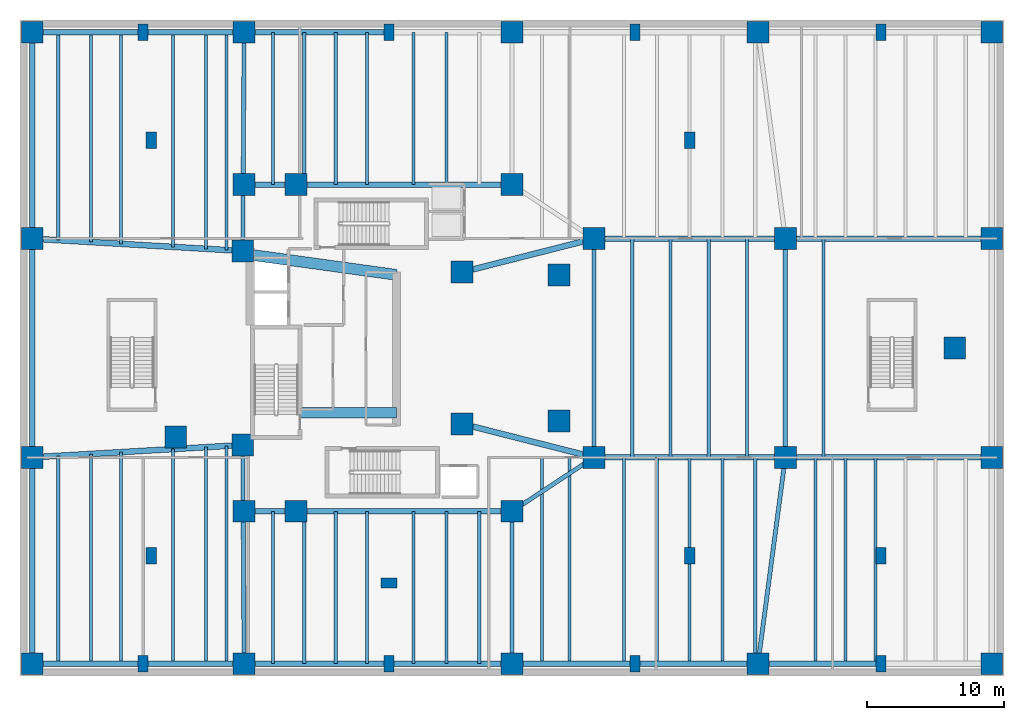
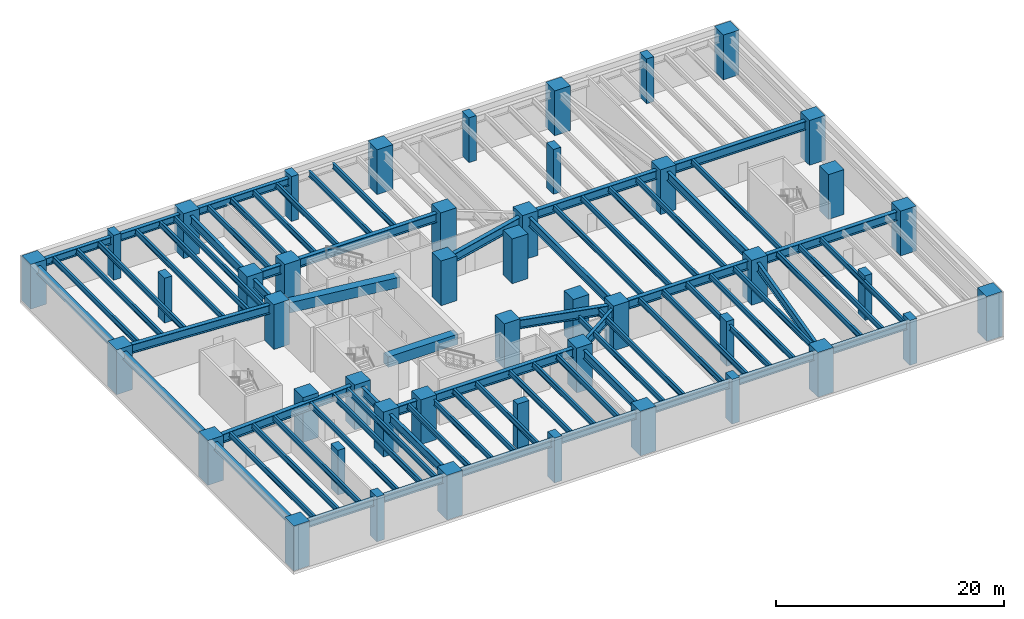
# One storey, part 1 of 9: 72 beams, 46 columns.
"""IFC4 building model written with IfcOpenShell, lengths in metres."""

from ifc_helpers import new_model, si_unit, direction, frame, origin, origin_2d, place, context, subcontext, project, spatial, rectangle, i_section, extrude, material, material_profile, profile_set, type_object, element, save


model = new_model("IFC4")

# Units and contexts
model_context = context("Model", 3, precision=1e-05, world=origin(), true_north=direction((0.0, 1.0)))
body_context = subcontext(model_context, "Body", "Model", "MODEL_VIEW")
ifc_project = project(units=[si_unit("LENGTHUNIT", "METRE"), si_unit("AREAUNIT", "SQUARE_METRE"), si_unit("VOLUMEUNIT", "CUBIC_METRE"), si_unit("PLANEANGLEUNIT", "RADIAN"), si_unit("MASSUNIT", "GRAM", prefix="KILO"), si_unit("THERMODYNAMICTEMPERATUREUNIT", "KELVIN"), si_unit("POWERUNIT", "WATT")], contexts=[model_context])

# Site, building, storey
site_placement = place(None, origin())
site = spatial("IfcSite", under=ifc_project, at=site_placement, CompositionType="ELEMENT")
building_placement = place(site_placement, origin())
building = spatial("IfcBuilding", under=site, at=building_placement, Name="Skarre Station Tower", CompositionType="ELEMENT")
storey_placement = place(building_placement, frame((0.0, 0.0, -4.800048828125)))
storey = spatial("IfcBuildingStorey", under=building, at=storey_placement, Name="B01", CompositionType="ELEMENT", Elevation=-4.800048828125)

# Columns
ifc_material_1 = material(Name="Concrete C60/75", Category="concrete")
ifc_material_profile_1 = material_profile(ifc_material_1, rectangle(XDim=0.75, YDim=1.199951171875, at=origin_2d()), Name="Concrete C60/75")
ifc_profile_set_1 = profile_set([ifc_material_profile_1], Name="Concrete C60/75")
column_type_1 = type_object("IfcColumnType", Name="RC Basement Pilaster RC-PIER-1200X750", PredefinedType="PILASTER", material=ifc_profile_set_1)
for number, where, z_axis, x_axis, name in (
    (1, (9.60009765625, 8.800048828125, 0.0), (0.0, 0.0, 1.0), (1.0, 0.0, 0.0), "B01 Basement Structural Pilaster 1"),
    (2, (9.60009765625, 39.199951171875, 0.0), (0.0, 0.0, 1.0), (1.0, 0.0, 0.0), "B01 Basement Structural Pilaster 2"),
    (3, (27.0, 6.800048828125, 0.0), (0.0, 0.0, 1.0), (0.0, 1.0, 0.0), "B01 Basement Structural Pilaster 3"),
    (4, (49.0, 8.800048828125, 0.0), (0.0, 0.0, 1.0), (1.0, 0.0, 0.0), "B01 Basement Structural Pilaster 4"),
    (5, (49.0, 39.199951171875, 0.0), (0.0, 0.0, 1.0), (1.0, 0.0, 0.0), "B01 Basement Structural Pilaster 5"),
    (6, (63.0, 8.800048828125, 0.0), (0.0, 0.0, 1.0), (1.0, 0.0, 0.0), "B01 Basement Structural Pilaster 6"),
):
    element("IfcColumn", number, at=place(storey_placement, frame(where, z_axis=z_axis, x_axis=x_axis)), inside=storey, type_object=column_type_1, Name=name, PredefinedType="PILASTER", context=body_context, shape_type="SweptSolid", body=[
        extrude(rectangle(XDim=0.75, YDim=1.199951171875, at=origin_2d()), origin(), (0.0, 0.0, 1.0), 4.800048828125),
    ])
ifc_material_2 = material(Name="Concrete C70/85", Category="concrete")
ifc_material_profile_2 = material_profile(ifc_material_2, rectangle(XDim=1.60009765625, YDim=1.60009765625, at=origin_2d()), Name="Concrete C70/85")
ifc_profile_set_2 = profile_set([ifc_material_profile_2], Name="Concrete C70/85")
column_type_2 = type_object("IfcColumnType", Name="RC Structural Column RC-COL-1600X1600", PredefinedType="COLUMN", material=ifc_profile_set_2)
for number, where, z_axis, x_axis, name in (
    (7, (16.300048828125, 16.89990234375, 0.0), (0.0, 0.0, 1.0), (1.0, 0.0, 0.0), "B01 Core Column CC-SW"),
    (8, (16.300048828125, 31.10009765625, 0.0), (0.0, 0.0, 1.0), (1.0, 0.0, 0.0), "B01 Core Column CC-NW"),
    (9, (32.35009765625, 18.449951171875, 0.0), (0.0, 0.0, 1.0), (1.0, 0.0, 0.0), "B01 Core Column CC-SE"),
    (10, (32.35009765625, 29.550048828125, 0.0), (0.0, 0.0, 1.0), (1.0, 0.0, 0.0), "B01 Core Column CC-NE"),
    (11, (0.89990234375, 0.89990234375, 0.0), (0.0, 0.0, 1.0), (1.0, 0.0, 0.0), "B01 Station Concourse Mega-Column PM01"),
    (12, (71.10009765625, 0.89990234375, 0.0), (0.0, 0.0, 1.0), (1.0, 0.0, 0.0), "B01 Station Concourse Mega-Column PM02"),
    (13, (0.89990234375, 47.10009765625, 0.0), (0.0, 0.0, 1.0), (1.0, 0.0, 0.0), "B01 Station Concourse Mega-Column PM03"),
    (14, (71.10009765625, 47.10009765625, 0.0), (0.0, 0.0, 1.0), (1.0, 0.0, 0.0), "B01 Station Concourse Mega-Column PM04"),
    (15, (16.39990234375, 0.89990234375, 0.0), (0.0, 0.0, 1.0), (1.0, 0.0, 0.0), "B01 Station Concourse Mega-Column PM05"),
    (16, (36.0, 0.89990234375, 0.0), (0.0, 0.0, 1.0), (1.0, 0.0, 0.0), "B01 Station Concourse Mega-Column PM06"),
    (17, (54.0, 0.89990234375, 0.0), (0.0, 0.0, 1.0), (1.0, 0.0, 0.0), "B01 Station Concourse Mega-Column PM07"),
    (18, (16.39990234375, 47.10009765625, 0.0), (0.0, 0.0, 1.0), (1.0, 0.0, 0.0), "B01 Station Concourse Mega-Column PM08"),
    (19, (36.0, 47.10009765625, 0.0), (0.0, 0.0, 1.0), (1.0, 0.0, 0.0), "B01 Station Concourse Mega-Column PM09"),
    (20, (54.0, 47.10009765625, 0.0), (0.0, 0.0, 1.0), (1.0, 0.0, 0.0), "B01 Station Concourse Mega-Column PM10"),
    (21, (0.89990234375, 16.0, 0.0), (0.0, 0.0, 1.0), (1.0, 0.0, 0.0), "B01 Station Concourse Mega-Column PM11"),
    (22, (0.89990234375, 32.0, 0.0), (0.0, 0.0, 1.0), (1.0, 0.0, 0.0), "B01 Station Concourse Mega-Column PM12"),
    (23, (71.10009765625, 16.0, 0.0), (0.0, 0.0, 1.0), (1.0, 0.0, 0.0), "B01 Station Concourse Mega-Column PM13"),
    (24, (71.10009765625, 32.0, 0.0), (0.0, 0.0, 1.0), (1.0, 0.0, 0.0), "B01 Station Concourse Mega-Column PM14"),
    (25, (42.0, 16.0, 0.0), (0.0, 0.0, 1.0), (1.0, 0.0, 0.0), "B01 Station Concourse Mega-Column PM15"),
    (26, (42.0, 32.0, 0.0), (0.0, 0.0, 1.0), (1.0, 0.0, 0.0), "B01 Station Concourse Mega-Column PM16"),
    (27, (56.0, 16.0, 0.0), (0.0, 0.0, 1.0), (1.0, 0.0, 0.0), "B01 Station Concourse Mega-Column PM17"),
    (28, (56.0, 32.0, 0.0), (0.0, 0.0, 1.0), (1.0, 0.0, 0.0), "B01 Station Concourse Mega-Column PM18"),
    (29, (11.39990234375, 17.5, 0.0), (0.0, 0.0, 1.0), (1.0, 0.0, 0.0), "B01 Station Concourse Mega-Column PM19"),
    (30, (68.39990234375, 24.0, 0.0), (0.0, 0.0, 1.0), (1.0, 0.0, 0.0), "B01 Station Concourse Mega-Column PM20"),
    (31, (20.199951171875, 35.949951171875, 0.0), (0.0, 0.0, 1.0), (1.0, 0.0, 0.0), "B01 Station Concourse Mega-Column PM21"),
    (32, (20.199951171875, 12.050048828125, 0.0), (0.0, 0.0, 1.0), (1.0, 0.0, 0.0), "B01 Station Concourse Mega-Column PM22"),
    (33, (16.39990234375, 12.050048828125, 0.0), (0.0, 0.0, 1.0), (1.0, 0.0, 0.0), "B01 Station Concourse Mega-Column PM23"),
    (34, (36.0, 12.050048828125, 0.0), (0.0, 0.0, 1.0), (1.0, 0.0, 0.0), "B01 Station Concourse Mega-Column PM24"),
    (35, (16.39990234375, 35.949951171875, 0.0), (0.0, 0.0, 1.0), (1.0, 0.0, 0.0), "B01 Station Concourse Mega-Column PM25"),
    (36, (36.0, 35.949951171875, 0.0), (0.0, 0.0, 1.0), (1.0, 0.0, 0.0), "B01 Station Concourse Mega-Column PM26"),
    (37, (39.449951171875, 18.64990234375, 0.0), (0.0, 0.0, 1.0), (1.0, 0.0, 0.0), "B01 Station Concourse Mega-Column PM27"),
    (38, (39.449951171875, 29.35009765625, 0.0), (0.0, 0.0, 1.0), (1.0, 0.0, 0.0), "B01 Station Concourse Mega-Column PM28"),
):
    element("IfcColumn", number, at=place(storey_placement, frame(where, z_axis=z_axis, x_axis=x_axis)), inside=storey, type_object=column_type_2, Name=name, PredefinedType="COLUMN", context=body_context, shape_type="SweptSolid", body=[
        extrude(rectangle(XDim=1.60009765625, YDim=1.60009765625, at=origin_2d()), origin(), (0.0, 0.0, 1.0), 4.800048828125),
    ])
ifc_material_profile_3 = material_profile(ifc_material_1, rectangle(XDim=0.75, YDim=1.199951171875, at=origin_2d()), Name="Concrete C60/75")
ifc_profile_set_3 = profile_set([ifc_material_profile_3], Name="Concrete C60/75")
column_type_3 = type_object("IfcColumnType", Name="RC Structural Pilaster RC-PIER-1200X750", PredefinedType="PILASTER", material=ifc_profile_set_3)
for number, where, z_axis, x_axis, name in (
    (39, (9.0, 0.89990234375, 0.0), (0.0, 0.0, 1.0), (1.0, 0.0, 0.0), "B01 Concourse Facade Pilaster P1"),
    (40, (27.0, 0.89990234375, 0.0), (0.0, 0.0, 1.0), (1.0, 0.0, 0.0), "B01 Concourse Facade Pilaster P2"),
    (41, (45.0, 0.89990234375, 0.0), (0.0, 0.0, 1.0), (1.0, 0.0, 0.0), "B01 Concourse Facade Pilaster P3"),
    (42, (63.0, 0.89990234375, 0.0), (0.0, 0.0, 1.0), (1.0, 0.0, 0.0), "B01 Concourse Facade Pilaster P4"),
    (43, (9.0, 47.10009765625, 0.0), (0.0, 0.0, 1.0), (1.0, 0.0, 0.0), "B01 Concourse Facade Pilaster P5"),
    (44, (27.0, 47.10009765625, 0.0), (0.0, 0.0, 1.0), (1.0, 0.0, 0.0), "B01 Concourse Facade Pilaster P6"),
    (45, (45.0, 47.10009765625, 0.0), (0.0, 0.0, 1.0), (1.0, 0.0, 0.0), "B01 Concourse Facade Pilaster P7"),
    (46, (63.0, 47.10009765625, 0.0), (0.0, 0.0, 1.0), (1.0, 0.0, 0.0), "B01 Concourse Facade Pilaster P8"),
):
    element("IfcColumn", number, at=place(storey_placement, frame(where, z_axis=z_axis, x_axis=x_axis)), inside=storey, type_object=column_type_3, Name=name, PredefinedType="PILASTER", context=body_context, shape_type="SweptSolid", body=[
        extrude(rectangle(XDim=0.75, YDim=1.199951171875, at=origin_2d()), origin(), (0.0, 0.0, 1.0), 4.800048828125),
    ])

# Beams
ifc_material_profile_4 = material_profile(ifc_material_2, rectangle(XDim=0.800048828125, YDim=1.10009765625, at=origin_2d()), Name="Concrete C70/85")
ifc_profile_set_4 = profile_set([ifc_material_profile_4], Name="Concrete C70/85")
beam_type_1 = type_object("IfcBeamType", Name="RC Core Coupling Lintel 800x1100", PredefinedType="LINTEL", material=ifc_profile_set_4)
beam_1_placement = place(storey_placement, frame((20.489990234375, 19.260009765625, 3.830078125), z_axis=(1.0, 0.0, 0.0), x_axis=(0.0, 1.0, 0.0)))
element("IfcBeam", 47, at=beam_1_placement, inside=storey, type_object=beam_type_1, Name="B01 South Core Coupling Lintel", PredefinedType="LINTEL", context=body_context, shape_type="SweptSolid", body=[
    extrude(rectangle(XDim=0.800048828125, YDim=1.10009765625, at=origin_2d()), origin(), (0.0, 0.0, 1.0), 7.06005859375),
])
beam_2_placement = place(storey_placement, frame((17.050048828125, 30.800048828125, 3.830078125), z_axis=(0.990599723633, -0.136792498109, 0.0), x_axis=(0.136792498109, 0.990599723633, 0.0)))
element("IfcBeam", 48, at=beam_2_placement, inside=storey, type_object=beam_type_1, Name="B01 North Core Coupling Lintel", PredefinedType="LINTEL", context=body_context, shape_type="SweptSolid", body=[
    extrude(rectangle(XDim=0.800048828125, YDim=1.10009765625, at=origin_2d()), origin(), (0.0, 0.0, 1.0), 10.599609375),
])
ifc_material_3 = material(Name="Steel ASTM A992 Grade 50", Category="steel")
ifc_material_profile_5 = material_profile(ifc_material_3, i_section(OverallWidth=0.30810546875, OverallDepth=0.927001953125, WebThickness=0.01904296875, FlangeThickness=0.031982421875, at=origin_2d()), Name="Steel ASTM A992 Grade 50")
ifc_profile_set_5 = profile_set([ifc_material_profile_5], Name="Steel ASTM A992 Grade 50")
beam_type_2 = type_object("IfcBeamType", Name="Steel Beam W36X194", PredefinedType="BEAM", material=ifc_profile_set_5)
for number, where, z_axis, x_axis, name in (
    (49, (16.39990234375, 0.89990234375, 3.9169921875), (-0.006240723195, 0.999980526497, 0.0), (-0.999980526497, -0.006240723195, 0.0), "B01 Concourse Transverse Girder NS1"),
    (50, (16.300048828125, 31.10009765625, 3.9169921875), (0.006240723195, 0.999980526497, 0.0), (-0.999980526497, 0.006240723195, 0.0), "B01 Concourse Transverse Girder NS2"),
):
    element("IfcBeam", number, at=place(storey_placement, frame(where, z_axis=z_axis, x_axis=x_axis)), inside=storey, type_object=beam_type_2, Name=name, PredefinedType="BEAM", context=body_context, shape_type="SweptSolid", body=[
        extrude(i_section(OverallWidth=0.30810546875, OverallDepth=0.927001953125, WebThickness=0.01904296875, FlangeThickness=0.031982421875, at=origin_2d()), origin(), (0.0, 0.0, 1.0), 16.000244140625),
    ])
beam_3_placement = place(storey_placement, frame((36.0, 0.89990234375, 3.9169921875), z_axis=(0.0, 1.0, 0.0), x_axis=(-1.0, 0.0, 0.0)))
element("IfcBeam", 51, at=beam_3_placement, inside=storey, type_object=beam_type_2, Name="B01 Concourse Transverse Girder NS3", PredefinedType="BEAM", context=body_context, shape_type="SweptSolid", body=[
    extrude(i_section(OverallWidth=0.30810546875, OverallDepth=0.927001953125, WebThickness=0.01904296875, FlangeThickness=0.031982421875, at=origin_2d()), origin(), (0.0, 0.0, 1.0), 11.150146484375),
])
beam_4_placement = place(storey_placement, frame((36.0, 12.050048828125, 3.9169921875), z_axis=(0.835251957938, 0.549867408345, 0.0), x_axis=(-0.549867408345, 0.835251957938, 0.0)))
element("IfcBeam", 52, at=beam_4_placement, inside=storey, type_object=beam_type_2, Name="B01 Concourse Transverse Girder NS3B", PredefinedType="BEAM", context=body_context, shape_type="SweptSolid", body=[
    extrude(i_section(OverallWidth=0.30810546875, OverallDepth=0.927001953125, WebThickness=0.01904296875, FlangeThickness=0.031982421875, at=origin_2d()), origin(), (0.0, 0.0, 1.0), 7.183349609375),
])
beam_5_placement = place(storey_placement, frame((42.0, 16.0, 3.9169921875), z_axis=(0.0, 1.0, 0.0), x_axis=(-1.0, 0.0, 0.0)))
element("IfcBeam", 53, at=beam_5_placement, inside=storey, type_object=beam_type_2, Name="B01 Concourse Transverse Girder NS4", PredefinedType="BEAM", context=body_context, shape_type="SweptSolid", body=[
    extrude(i_section(OverallWidth=0.30810546875, OverallDepth=0.927001953125, WebThickness=0.01904296875, FlangeThickness=0.031982421875, at=origin_2d()), origin(), (0.0, 0.0, 1.0), 16.0),
])
beam_6_placement = place(storey_placement, frame((54.0, 0.89990234375, 3.9169921875), z_axis=(0.131302768537, 0.991342313721, 0.0), x_axis=(-0.991342313721, 0.131302768537, 0.0)))
element("IfcBeam", 54, at=beam_6_placement, inside=storey, type_object=beam_type_2, Name="B01 Concourse Transverse Girder NS6", PredefinedType="BEAM", context=body_context, shape_type="SweptSolid", body=[
    extrude(i_section(OverallWidth=0.30810546875, OverallDepth=0.927001953125, WebThickness=0.01904296875, FlangeThickness=0.031982421875, at=origin_2d()), origin(), (0.0, 0.0, 1.0), 15.23193359375),
])
beam_7_placement = place(storey_placement, frame((56.0, 16.0, 3.9169921875), z_axis=(0.0, 1.0, 0.0), x_axis=(-1.0, 0.0, 0.0)))
element("IfcBeam", 55, at=beam_7_placement, inside=storey, type_object=beam_type_2, Name="B01 Concourse Transverse Girder NS7", PredefinedType="BEAM", context=body_context, shape_type="SweptSolid", body=[
    extrude(i_section(OverallWidth=0.30810546875, OverallDepth=0.927001953125, WebThickness=0.01904296875, FlangeThickness=0.031982421875, at=origin_2d()), origin(), (0.0, 0.0, 1.0), 16.0),
])
ifc_material_profile_6 = material_profile(ifc_material_3, i_section(OverallWidth=0.423095703125, OverallDepth=0.947998046875, WebThickness=0.02392578125, FlangeThickness=0.04296875, at=origin_2d()), Name="Steel ASTM A992 Grade 50")
ifc_profile_set_6 = profile_set([ifc_material_profile_6], Name="Steel ASTM A992 Grade 50")
beam_type_3 = type_object("IfcBeamType", Name="Steel Beam W36X302", PredefinedType="BEAM", material=ifc_profile_set_6)
beam_8_placement = place(storey_placement, frame((0.89990234375, 16.0, 3.906005859375), z_axis=(0.99829705511, 0.05833515029, 0.0), x_axis=(-0.05833515029, 0.99829705511, 0.0)))
element("IfcBeam", 56, at=beam_8_placement, inside=storey, type_object=beam_type_3, Name="B01 Concourse Primary Girder EW1", PredefinedType="BEAM", context=body_context, shape_type="SweptSolid", body=[
    extrude(i_section(OverallWidth=0.423095703125, OverallDepth=0.947998046875, WebThickness=0.02392578125, FlangeThickness=0.04296875, at=origin_2d()), origin(), (0.0, 0.0, 1.0), 15.426513671875),
])
beam_9_placement = place(storey_placement, frame((32.35009765625, 18.449951171875, 3.906005859375), z_axis=(0.969250360418, -0.246076692982, 0.0), x_axis=(0.246076692982, 0.969250360418, 0.0)))
element("IfcBeam", 57, at=beam_9_placement, inside=storey, type_object=beam_type_3, Name="B01 Concourse Primary Girder EW2", PredefinedType="BEAM", context=body_context, shape_type="SweptSolid", body=[
    extrude(i_section(OverallWidth=0.423095703125, OverallDepth=0.947998046875, WebThickness=0.02392578125, FlangeThickness=0.04296875, at=origin_2d()), origin(), (0.0, 0.0, 1.0), 9.9560546875),
])
beam_10_placement = place(storey_placement, frame((42.0, 16.0, 3.906005859375), z_axis=(1.0, 0.0, 0.0), x_axis=(0.0, 1.0, 0.0)))
element("IfcBeam", 58, at=beam_10_placement, inside=storey, type_object=beam_type_3, Name="B01 Concourse Primary Girder EW3", PredefinedType="BEAM", context=body_context, shape_type="SweptSolid", body=[
    extrude(i_section(OverallWidth=0.423095703125, OverallDepth=0.947998046875, WebThickness=0.02392578125, FlangeThickness=0.04296875, at=origin_2d()), origin(), (0.0, 0.0, 1.0), 14.0),
])
beam_11_placement = place(storey_placement, frame((56.0, 16.0, 3.906005859375), z_axis=(1.0, 0.0, 0.0), x_axis=(0.0, 1.0, 0.0)))
element("IfcBeam", 59, at=beam_11_placement, inside=storey, type_object=beam_type_3, Name="B01 Concourse Primary Girder EW4", PredefinedType="BEAM", context=body_context, shape_type="SweptSolid", body=[
    extrude(i_section(OverallWidth=0.423095703125, OverallDepth=0.947998046875, WebThickness=0.02392578125, FlangeThickness=0.04296875, at=origin_2d()), origin(), (0.0, 0.0, 1.0), 15.10009765625),
])
beam_12_placement = place(storey_placement, frame((0.89990234375, 32.0, 3.906005859375), z_axis=(0.99829705511, -0.05833515029, 0.0), x_axis=(0.05833515029, 0.99829705511, 0.0)))
element("IfcBeam", 60, at=beam_12_placement, inside=storey, type_object=beam_type_3, Name="B01 Concourse Primary Girder EW5", PredefinedType="BEAM", context=body_context, shape_type="SweptSolid", body=[
    extrude(i_section(OverallWidth=0.423095703125, OverallDepth=0.947998046875, WebThickness=0.02392578125, FlangeThickness=0.04296875, at=origin_2d()), origin(), (0.0, 0.0, 1.0), 15.426513671875),
])
beam_13_placement = place(storey_placement, frame((32.35009765625, 29.550048828125, 3.906005859375), z_axis=(0.969250360418, 0.246076692982, 0.0), x_axis=(-0.246076692982, 0.969250360418, 0.0)))
element("IfcBeam", 61, at=beam_13_placement, inside=storey, type_object=beam_type_3, Name="B01 Concourse Primary Girder EW6", PredefinedType="BEAM", context=body_context, shape_type="SweptSolid", body=[
    extrude(i_section(OverallWidth=0.423095703125, OverallDepth=0.947998046875, WebThickness=0.02392578125, FlangeThickness=0.04296875, at=origin_2d()), origin(), (0.0, 0.0, 1.0), 9.9560546875),
])
beam_14_placement = place(storey_placement, frame((42.0, 32.0, 3.906005859375), z_axis=(1.0, 0.0, 0.0), x_axis=(0.0, 1.0, 0.0)))
element("IfcBeam", 62, at=beam_14_placement, inside=storey, type_object=beam_type_3, Name="B01 Concourse Primary Girder EW7", PredefinedType="BEAM", context=body_context, shape_type="SweptSolid", body=[
    extrude(i_section(OverallWidth=0.423095703125, OverallDepth=0.947998046875, WebThickness=0.02392578125, FlangeThickness=0.04296875, at=origin_2d()), origin(), (0.0, 0.0, 1.0), 14.0),
])
beam_15_placement = place(storey_placement, frame((56.0, 32.0, 3.906005859375), z_axis=(1.0, 0.0, 0.0), x_axis=(0.0, 1.0, 0.0)))
element("IfcBeam", 63, at=beam_15_placement, inside=storey, type_object=beam_type_3, Name="B01 Concourse Primary Girder EW8", PredefinedType="BEAM", context=body_context, shape_type="SweptSolid", body=[
    extrude(i_section(OverallWidth=0.423095703125, OverallDepth=0.947998046875, WebThickness=0.02392578125, FlangeThickness=0.04296875, at=origin_2d()), origin(), (0.0, 0.0, 1.0), 15.10009765625),
])
for number, where, z_axis, x_axis, name in (
    (64, (16.39990234375, 12.050048828125, 3.906005859375), (1.0, 0.0, 0.0), (0.0, 1.0, 0.0), "B01 Concourse Primary Girder HDRS"),
    (65, (16.39990234375, 35.949951171875, 3.906005859375), (1.0, 0.0, 0.0), (0.0, 1.0, 0.0), "B01 Concourse Primary Girder HDRN"),
):
    element("IfcBeam", number, at=place(storey_placement, frame(where, z_axis=z_axis, x_axis=x_axis)), inside=storey, type_object=beam_type_3, Name=name, PredefinedType="BEAM", context=body_context, shape_type="SweptSolid", body=[
        extrude(i_section(OverallWidth=0.423095703125, OverallDepth=0.947998046875, WebThickness=0.02392578125, FlangeThickness=0.04296875, at=origin_2d()), origin(), (0.0, 0.0, 1.0), 19.60009765625),
    ])
ifc_material_profile_7 = material_profile(ifc_material_3, i_section(OverallWidth=0.22802734375, OverallDepth=0.60791015625, WebThickness=0.010986328125, FlangeThickness=0.01708984375, at=origin_2d()), Name="Steel ASTM A992 Grade 50")
ifc_profile_set_7 = profile_set([ifc_material_profile_7], Name="Steel ASTM A992 Grade 50")
beam_type_4 = type_object("IfcBeamType", Name="Steel Joist W24X76", PredefinedType="JOIST", material=ifc_profile_set_7)
for number, where, z_axis, x_axis, name in (
    (66, (2.800048828125, 0.89990234375, 4.075927734375), (0.0, 1.0, 0.0), (-1.0, 0.0, 0.0), "B01 South Bay Joist 1"),
    (67, (2.800048828125, 31.888916015625, 4.075927734375), (0.0, 1.0, 0.0), (-1.0, 0.0, 0.0), "B01 North Bay Joist 1"),
):
    element("IfcBeam", number, at=place(storey_placement, frame(where, z_axis=z_axis, x_axis=x_axis)), inside=storey, type_object=beam_type_4, Name=name, PredefinedType="JOIST", context=body_context, shape_type="SweptSolid", body=[
        extrude(i_section(OverallWidth=0.22802734375, OverallDepth=0.60791015625, WebThickness=0.010986328125, FlangeThickness=0.01708984375, at=origin_2d()), origin(), (0.0, 0.0, 1.0), 15.211181640625),
    ])
for number, where, z_axis, x_axis, name in (
    (68, (5.199951171875, 0.89990234375, 4.075927734375), (0.0, 1.0, 0.0), (-1.0, 0.0, 0.0), "B01 South Bay Joist 2"),
    (69, (5.199951171875, 31.7490234375, 4.075927734375), (0.0, 1.0, 0.0), (-1.0, 0.0, 0.0), "B01 North Bay Joist 2"),
):
    element("IfcBeam", number, at=place(storey_placement, frame(where, z_axis=z_axis, x_axis=x_axis)), inside=storey, type_object=beam_type_4, Name=name, PredefinedType="JOIST", context=body_context, shape_type="SweptSolid", body=[
        extrude(i_section(OverallWidth=0.22802734375, OverallDepth=0.60791015625, WebThickness=0.010986328125, FlangeThickness=0.01708984375, at=origin_2d()), origin(), (0.0, 0.0, 1.0), 15.35107421875),
    ])
for number, where, z_axis, x_axis, name in (
    (70, (7.39990234375, 0.89990234375, 4.075927734375), (0.0, 1.0, 0.0), (-1.0, 0.0, 0.0), "B01 South Bay Joist 3"),
    (71, (7.39990234375, 31.6201171875, 4.075927734375), (0.0, 1.0, 0.0), (-1.0, 0.0, 0.0), "B01 North Bay Joist 3"),
):
    element("IfcBeam", number, at=place(storey_placement, frame(where, z_axis=z_axis, x_axis=x_axis)), inside=storey, type_object=beam_type_4, Name=name, PredefinedType="JOIST", context=body_context, shape_type="SweptSolid", body=[
        extrude(i_section(OverallWidth=0.22802734375, OverallDepth=0.60791015625, WebThickness=0.010986328125, FlangeThickness=0.01708984375, at=origin_2d()), origin(), (0.0, 0.0, 1.0), 15.47998046875),
    ])
for number, where, z_axis, x_axis, name in (
    (72, (11.199951171875, 0.89990234375, 4.075927734375), (0.0, 1.0, 0.0), (-1.0, 0.0, 0.0), "B01 South Bay Joist 4"),
    (73, (11.199951171875, 31.39794921875, 4.075927734375), (0.0, 1.0, 0.0), (-1.0, 0.0, 0.0), "B01 North Bay Joist 4"),
):
    element("IfcBeam", number, at=place(storey_placement, frame(where, z_axis=z_axis, x_axis=x_axis)), inside=storey, type_object=beam_type_4, Name=name, PredefinedType="JOIST", context=body_context, shape_type="SweptSolid", body=[
        extrude(i_section(OverallWidth=0.22802734375, OverallDepth=0.60791015625, WebThickness=0.010986328125, FlangeThickness=0.01708984375, at=origin_2d()), origin(), (0.0, 0.0, 1.0), 15.7021484375),
    ])
for number, where, z_axis, x_axis, name in (
    (74, (13.60009765625, 0.89990234375, 4.075927734375), (0.0, 1.0, 0.0), (-1.0, 0.0, 0.0), "B01 South Bay Joist 5"),
    (75, (13.60009765625, 31.258056640625, 4.075927734375), (0.0, 1.0, 0.0), (-1.0, 0.0, 0.0), "B01 North Bay Joist 5"),
):
    element("IfcBeam", number, at=place(storey_placement, frame(where, z_axis=z_axis, x_axis=x_axis)), inside=storey, type_object=beam_type_4, Name=name, PredefinedType="JOIST", context=body_context, shape_type="SweptSolid", body=[
        extrude(i_section(OverallWidth=0.22802734375, OverallDepth=0.60791015625, WebThickness=0.010986328125, FlangeThickness=0.01708984375, at=origin_2d()), origin(), (0.0, 0.0, 1.0), 15.842041015625),
    ])
for number, where, z_axis, x_axis, name in (
    (76, (15.10009765625, 0.89990234375, 4.075927734375), (0.0, 1.0, 0.0), (-1.0, 0.0, 0.0), "B01 South Bay Joist 6"),
    (77, (15.10009765625, 31.169921875, 4.075927734375), (0.0, 1.0, 0.0), (-1.0, 0.0, 0.0), "B01 North Bay Joist 6"),
):
    element("IfcBeam", number, at=place(storey_placement, frame(where, z_axis=z_axis, x_axis=x_axis)), inside=storey, type_object=beam_type_4, Name=name, PredefinedType="JOIST", context=body_context, shape_type="SweptSolid", body=[
        extrude(i_section(OverallWidth=0.22802734375, OverallDepth=0.60791015625, WebThickness=0.010986328125, FlangeThickness=0.01708984375, at=origin_2d()), origin(), (0.0, 0.0, 1.0), 15.93017578125),
    ])
for number, where, z_axis, x_axis, name in (
    (78, (18.5, 0.89990234375, 4.075927734375), (0.0, 1.0, 0.0), (-1.0, 0.0, 0.0), "B01 South Bay Joist 7"),
    (79, (18.5, 35.949951171875, 4.075927734375), (0.0, 1.0, 0.0), (-1.0, 0.0, 0.0), "B01 North Bay Joist 7"),
    (80, (20.800048828125, 0.89990234375, 4.075927734375), (0.0, 1.0, 0.0), (-1.0, 0.0, 0.0), "B01 South Bay Joist 8"),
    (81, (20.800048828125, 35.949951171875, 4.075927734375), (0.0, 1.0, 0.0), (-1.0, 0.0, 0.0), "B01 North Bay Joist 8"),
    (82, (23.10009765625, 0.89990234375, 4.075927734375), (0.0, 1.0, 0.0), (-1.0, 0.0, 0.0), "B01 South Bay Joist 9"),
    (83, (23.10009765625, 35.949951171875, 4.075927734375), (0.0, 1.0, 0.0), (-1.0, 0.0, 0.0), "B01 North Bay Joist 9"),
    (84, (25.39990234375, 0.89990234375, 4.075927734375), (0.0, 1.0, 0.0), (-1.0, 0.0, 0.0), "B01 South Bay Joist 10"),
    (85, (25.39990234375, 35.949951171875, 4.075927734375), (0.0, 1.0, 0.0), (-1.0, 0.0, 0.0), "B01 North Bay Joist 10"),
    (86, (28.800048828125, 0.89990234375, 4.075927734375), (0.0, 1.0, 0.0), (-1.0, 0.0, 0.0), "B01 South Bay Joist 11"),
    (87, (28.800048828125, 35.949951171875, 4.075927734375), (0.0, 1.0, 0.0), (-1.0, 0.0, 0.0), "B01 North Bay Joist 11"),
    (88, (31.199951171875, 0.89990234375, 4.075927734375), (0.0, 1.0, 0.0), (-1.0, 0.0, 0.0), "B01 South Bay Joist 12"),
    (89, (31.199951171875, 35.949951171875, 4.075927734375), (0.0, 1.0, 0.0), (-1.0, 0.0, 0.0), "B01 North Bay Joist 12"),
    (90, (33.60009765625, 0.89990234375, 4.075927734375), (0.0, 1.0, 0.0), (-1.0, 0.0, 0.0), "B01 South Bay Joist 13"),
):
    element("IfcBeam", number, at=place(storey_placement, frame(where, z_axis=z_axis, x_axis=x_axis)), inside=storey, type_object=beam_type_4, Name=name, PredefinedType="JOIST", context=body_context, shape_type="SweptSolid", body=[
        extrude(i_section(OverallWidth=0.22802734375, OverallDepth=0.60791015625, WebThickness=0.010986328125, FlangeThickness=0.01708984375, at=origin_2d()), origin(), (0.0, 0.0, 1.0), 11.150146484375),
    ])
for number, where, z_axis, x_axis, name in (
    (91, (38.199951171875, 0.89990234375, 4.075927734375), (0.0, 1.0, 0.0), (-1.0, 0.0, 0.0), "B01 South Bay Joist 14"),
    (92, (40.199951171875, 0.89990234375, 4.075927734375), (0.0, 1.0, 0.0), (-1.0, 0.0, 0.0), "B01 South Bay Joist 15"),
    (93, (44.199951171875, 0.89990234375, 4.075927734375), (0.0, 1.0, 0.0), (-1.0, 0.0, 0.0), "B01 South Bay Joist 16"),
    (94, (46.60009765625, 0.89990234375, 4.075927734375), (0.0, 1.0, 0.0), (-1.0, 0.0, 0.0), "B01 South Bay Joist 17"),
    (95, (49.0, 0.89990234375, 4.075927734375), (0.0, 1.0, 0.0), (-1.0, 0.0, 0.0), "B01 South Bay Joist 18"),
    (96, (51.39990234375, 0.89990234375, 4.075927734375), (0.0, 1.0, 0.0), (-1.0, 0.0, 0.0), "B01 South Bay Joist 19"),
    (97, (53.800048828125, 0.89990234375, 4.075927734375), (0.0, 1.0, 0.0), (-1.0, 0.0, 0.0), "B01 South Bay Joist 20"),
    (98, (58.199951171875, 0.89990234375, 4.075927734375), (0.0, 1.0, 0.0), (-1.0, 0.0, 0.0), "B01 South Bay Joist 21"),
    (99, (60.39990234375, 0.89990234375, 4.075927734375), (0.0, 1.0, 0.0), (-1.0, 0.0, 0.0), "B01 South Bay Joist 22"),
    (100, (62.60009765625, 0.89990234375, 4.075927734375), (0.0, 1.0, 0.0), (-1.0, 0.0, 0.0), "B01 South Bay Joist 23"),
):
    element("IfcBeam", number, at=place(storey_placement, frame(where, z_axis=z_axis, x_axis=x_axis)), inside=storey, type_object=beam_type_4, Name=name, PredefinedType="JOIST", context=body_context, shape_type="SweptSolid", body=[
        extrude(i_section(OverallWidth=0.22802734375, OverallDepth=0.60791015625, WebThickness=0.010986328125, FlangeThickness=0.01708984375, at=origin_2d()), origin(), (0.0, 0.0, 1.0), 15.10009765625),
    ])
for number, where, z_axis, x_axis, name in (
    (101, (44.800048828125, 16.0, 4.075927734375), (0.0, 1.0, 0.0), (-1.0, 0.0, 0.0), "B01 Central Concourse Joist 1"),
    (102, (47.60009765625, 16.0, 4.075927734375), (0.0, 1.0, 0.0), (-1.0, 0.0, 0.0), "B01 Central Concourse Joist 2"),
    (103, (50.39990234375, 16.0, 4.075927734375), (0.0, 1.0, 0.0), (-1.0, 0.0, 0.0), "B01 Central Concourse Joist 3"),
    (104, (53.199951171875, 16.0, 4.075927734375), (0.0, 1.0, 0.0), (-1.0, 0.0, 0.0), "B01 Central Concourse Joist 4"),
    (105, (58.800048828125, 16.0, 4.075927734375), (0.0, 1.0, 0.0), (-1.0, 0.0, 0.0), "B01 Central Concourse Joist 5"),
):
    element("IfcBeam", number, at=place(storey_placement, frame(where, z_axis=z_axis, x_axis=x_axis)), inside=storey, type_object=beam_type_4, Name=name, PredefinedType="JOIST", context=body_context, shape_type="SweptSolid", body=[
        extrude(i_section(OverallWidth=0.22802734375, OverallDepth=0.60791015625, WebThickness=0.010986328125, FlangeThickness=0.01708984375, at=origin_2d()), origin(), (0.0, 0.0, 1.0), 16.0),
    ])
ifc_material_profile_8 = material_profile(ifc_material_3, i_section(OverallWidth=0.384033203125, OverallDepth=0.785888671875, WebThickness=0.02001953125, FlangeThickness=0.032958984375, at=origin_2d()), Name="Steel ASTM A992 Grade 50")
ifc_profile_set_8 = profile_set([ifc_material_profile_8], Name="Steel ASTM A992 Grade 50")
beam_type_5 = type_object("IfcBeamType", Name="Steel Spandrel W30X211", PredefinedType="SPANDREL", material=ifc_profile_set_8)
for number, where, z_axis, x_axis, name in (
    (106, (0.89990234375, 0.89990234375, 3.987060546875), (1.0, 0.0, 0.0), (0.0, 1.0, 0.0), "B01 South Podium Spandrel 1"),
    (107, (0.89990234375, 47.10009765625, 3.987060546875), (1.0, 0.0, 0.0), (0.0, 1.0, 0.0), "B01 North Podium Spandrel 1"),
):
    element("IfcBeam", number, at=place(storey_placement, frame(where, z_axis=z_axis, x_axis=x_axis)), inside=storey, type_object=beam_type_5, Name=name, PredefinedType="SPANDREL", context=body_context, shape_type="SweptSolid", body=[
        extrude(i_section(OverallWidth=0.384033203125, OverallDepth=0.785888671875, WebThickness=0.02001953125, FlangeThickness=0.032958984375, at=origin_2d()), origin(), (0.0, 0.0, 1.0), 8.10009765625),
    ])
for number, where, z_axis, x_axis, name in (
    (108, (9.0, 0.89990234375, 3.987060546875), (1.0, 0.0, 0.0), (0.0, 1.0, 0.0), "B01 South Podium Spandrel 2"),
    (109, (9.0, 47.10009765625, 3.987060546875), (1.0, 0.0, 0.0), (0.0, 1.0, 0.0), "B01 North Podium Spandrel 2"),
):
    element("IfcBeam", number, at=place(storey_placement, frame(where, z_axis=z_axis, x_axis=x_axis)), inside=storey, type_object=beam_type_5, Name=name, PredefinedType="SPANDREL", context=body_context, shape_type="SweptSolid", body=[
        extrude(i_section(OverallWidth=0.384033203125, OverallDepth=0.785888671875, WebThickness=0.02001953125, FlangeThickness=0.032958984375, at=origin_2d()), origin(), (0.0, 0.0, 1.0), 7.39990234375),
    ])
for number, where, z_axis, x_axis, name in (
    (110, (16.39990234375, 0.89990234375, 3.987060546875), (1.0, 0.0, 0.0), (0.0, 1.0, 0.0), "B01 South Podium Spandrel 3"),
    (111, (16.39990234375, 47.10009765625, 3.987060546875), (1.0, 0.0, 0.0), (0.0, 1.0, 0.0), "B01 North Podium Spandrel 3"),
):
    element("IfcBeam", number, at=place(storey_placement, frame(where, z_axis=z_axis, x_axis=x_axis)), inside=storey, type_object=beam_type_5, Name=name, PredefinedType="SPANDREL", context=body_context, shape_type="SweptSolid", body=[
        extrude(i_section(OverallWidth=0.384033203125, OverallDepth=0.785888671875, WebThickness=0.02001953125, FlangeThickness=0.032958984375, at=origin_2d()), origin(), (0.0, 0.0, 1.0), 10.60009765625),
    ])
for number, where, z_axis, x_axis, name in (
    (112, (27.0, 0.89990234375, 3.987060546875), (1.0, 0.0, 0.0), (0.0, 1.0, 0.0), "B01 South Podium Spandrel 4"),
    (113, (36.0, 0.89990234375, 3.987060546875), (1.0, 0.0, 0.0), (0.0, 1.0, 0.0), "B01 South Podium Spandrel 5"),
    (114, (45.0, 0.89990234375, 3.987060546875), (1.0, 0.0, 0.0), (0.0, 1.0, 0.0), "B01 South Podium Spandrel 6"),
    (115, (54.0, 0.89990234375, 3.987060546875), (1.0, 0.0, 0.0), (0.0, 1.0, 0.0), "B01 South Podium Spandrel 7"),
):
    element("IfcBeam", number, at=place(storey_placement, frame(where, z_axis=z_axis, x_axis=x_axis)), inside=storey, type_object=beam_type_5, Name=name, PredefinedType="SPANDREL", context=body_context, shape_type="SweptSolid", body=[
        extrude(i_section(OverallWidth=0.384033203125, OverallDepth=0.785888671875, WebThickness=0.02001953125, FlangeThickness=0.032958984375, at=origin_2d()), origin(), (0.0, 0.0, 1.0), 9.0),
    ])
beam_16_placement = place(storey_placement, frame((0.89990234375, 0.89990234375, 3.987060546875), z_axis=(0.0, 1.0, 0.0), x_axis=(-1.0, 0.0, 0.0)))
element("IfcBeam", 116, at=beam_16_placement, inside=storey, type_object=beam_type_5, Name="B01 West Podium Spandrel 1", PredefinedType="SPANDREL", context=body_context, shape_type="SweptSolid", body=[
    extrude(i_section(OverallWidth=0.384033203125, OverallDepth=0.785888671875, WebThickness=0.02001953125, FlangeThickness=0.032958984375, at=origin_2d()), origin(), (0.0, 0.0, 1.0), 15.10009765625),
])
beam_17_placement = place(storey_placement, frame((0.89990234375, 16.0, 3.987060546875), z_axis=(0.0, 1.0, 0.0), x_axis=(-1.0, 0.0, 0.0)))
element("IfcBeam", 117, at=beam_17_placement, inside=storey, type_object=beam_type_5, Name="B01 West Podium Spandrel 2", PredefinedType="SPANDREL", context=body_context, shape_type="SweptSolid", body=[
    extrude(i_section(OverallWidth=0.384033203125, OverallDepth=0.785888671875, WebThickness=0.02001953125, FlangeThickness=0.032958984375, at=origin_2d()), origin(), (0.0, 0.0, 1.0), 16.0),
])
beam_18_placement = place(storey_placement, frame((0.89990234375, 32.0, 3.987060546875), z_axis=(0.0, 1.0, 0.0), x_axis=(-1.0, 0.0, 0.0)))
element("IfcBeam", 118, at=beam_18_placement, inside=storey, type_object=beam_type_5, Name="B01 West Podium Spandrel 3", PredefinedType="SPANDREL", context=body_context, shape_type="SweptSolid", body=[
    extrude(i_section(OverallWidth=0.384033203125, OverallDepth=0.785888671875, WebThickness=0.02001953125, FlangeThickness=0.032958984375, at=origin_2d()), origin(), (0.0, 0.0, 1.0), 15.10009765625),
])

save(model, "model.ifc")
